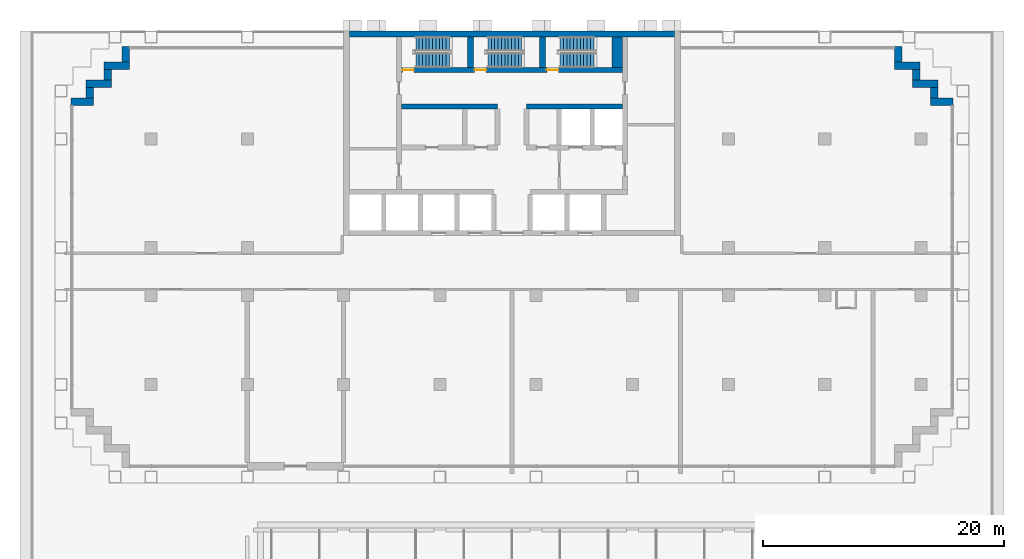
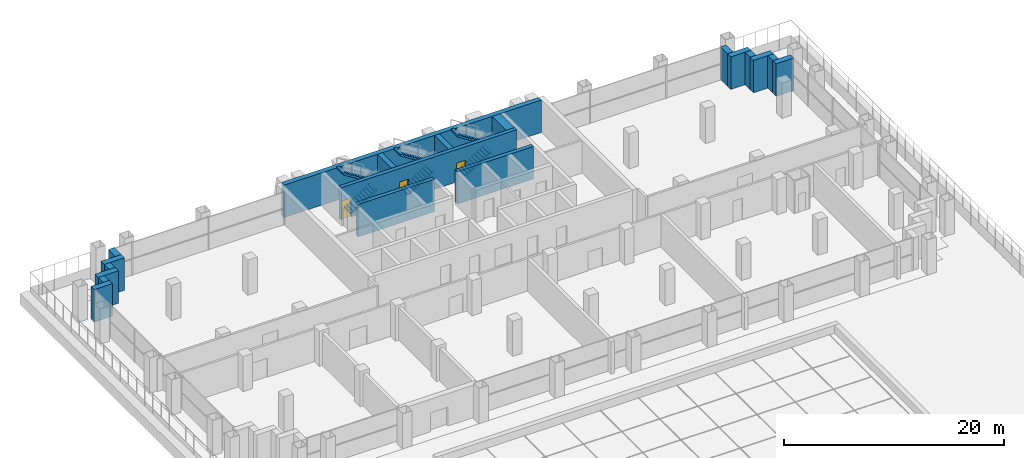
# One storey, part 13 of 16: 19 walls, 6 stair flights, 3 doors, 3 openings, 3 elements without a shape of their own.
"""IFC4 building model written with IfcOpenShell, lengths in metres."""

from ifc_helpers import new_model, si_unit, direction, frame, frame_2d, origin, place, context, subcontext, project, spatial, polyline, rectangle, outline, extrude, material, layer, layer_set, type_object, element, fill, aggregate, save


model = new_model("IFC4")

# Units and contexts
model_context = context("Model", 3, precision=1e-05, world=origin(), true_north=direction((0.0, 1.0)))
body_context = subcontext(model_context, "Body", "Model", "MODEL_VIEW")
ifc_project = project(units=[si_unit("LENGTHUNIT", "METRE"), si_unit("AREAUNIT", "SQUARE_METRE"), si_unit("VOLUMEUNIT", "CUBIC_METRE"), si_unit("PLANEANGLEUNIT", "RADIAN"), si_unit("MASSUNIT", "GRAM", prefix="KILO")], contexts=[model_context])

# Site, building, storey
site_placement = place(None, origin())
site = spatial("IfcSite", under=ifc_project, at=site_placement, CompositionType="ELEMENT")
building_placement = place(site_placement, origin())
building = spatial("IfcBuilding", under=site, at=building_placement, Name="Vidyagriha Tower", CompositionType="ELEMENT")
storey_placement = place(building_placement, frame((0.0, 0.0, 26.0)))
storey = spatial("IfcBuildingStorey", under=building, at=storey_placement, Name="L06", CompositionType="ELEMENT", Elevation=26.0)

# Walls
ifc_material_1 = material(Name="Precast concrete C40/50 with brick facing", Category="concrete")
ifc_layer_1 = layer(ifc_material_1, 0.60009765625)
ifc_layer_set_1 = layer_set([ifc_layer_1], Name="Precast concrete C40/50 with brick facing")
wall_type_1 = type_object("IfcWallType", Name="Brick-faced precast wall 600", PredefinedType="STANDARD", material=ifc_layer_set_1)
wall_1_placement = place(storey_placement, frame((36.679931640625, 14.10009765625, 0.0), z_axis=(0.0, 0.0, 1.0), x_axis=(-1.0, 0.0, 0.0)))
element("IfcWall", 1, at=wall_1_placement, inside=storey, type_object=wall_type_1, Name="Stepped corner wall L06 R01", PredefinedType="STANDARD", context=body_context, shape_type="SweptSolid", body=[
    extrude(rectangle(XDim=1.8798828125, YDim=0.60009765625, at=frame_2d((0.93994140625, 0.0))), origin(), (0.0, 0.0, 1.0), 3.60009765625),
])
wall_2_placement = place(storey_placement, frame((35.10009765625, 14.39990234375, 0.0), z_axis=(0.0, 0.0, 1.0), x_axis=(0.0, 1.0, 0.0)))
element("IfcWall", 2, at=wall_2_placement, inside=storey, type_object=wall_type_1, Name="Stepped corner wall L06 R02", PredefinedType="STANDARD", context=body_context, shape_type="SweptSolid", body=[
    extrude(rectangle(XDim=0.900146484375, YDim=0.60009765625, at=frame_2d((0.4501953125, 0.0))), origin(), (0.0, 0.0, 1.0), 3.60009765625),
])
wall_3_placement = place(storey_placement, frame((35.39990234375, 15.60009765625, 0.0), z_axis=(0.0, 0.0, 1.0), x_axis=(-1.0, 0.0, 0.0)))
element("IfcWall", 3, at=wall_3_placement, inside=storey, type_object=wall_type_1, Name="Stepped corner wall L06 R03", PredefinedType="STANDARD", context=body_context, shape_type="SweptSolid", body=[
    extrude(rectangle(XDim=2.099853515625, YDim=0.60009765625, at=frame_2d((1.0498046875, 0.0))), origin(), (0.0, 0.0, 1.0), 3.60009765625),
])
wall_4_placement = place(storey_placement, frame((33.60009765625, 15.89990234375, 0.0), z_axis=(0.0, 0.0, 1.0), x_axis=(0.0, 1.0, 0.0)))
element("IfcWall", 4, at=wall_4_placement, inside=storey, type_object=wall_type_1, Name="Stepped corner wall L06 R04", PredefinedType="STANDARD", context=body_context, shape_type="SweptSolid", body=[
    extrude(rectangle(XDim=0.900146484375, YDim=0.60009765625, at=frame_2d((0.4501953125, 0.0))), origin(), (0.0, 0.0, 1.0), 3.60009765625),
])
wall_5_placement = place(storey_placement, frame((33.89990234375, 17.10009765625, 0.0), z_axis=(0.0, 0.0, 1.0), x_axis=(-1.0, 0.0, 0.0)))
element("IfcWall", 5, at=wall_5_placement, inside=storey, type_object=wall_type_1, Name="Stepped corner wall L06 R05", PredefinedType="STANDARD", context=body_context, shape_type="SweptSolid", body=[
    extrude(rectangle(XDim=2.099853515625, YDim=0.60009765625, at=frame_2d((1.0498046875, 0.0))), origin(), (0.0, 0.0, 1.0), 3.60009765625),
])
for number, where, z_axis, x_axis, name in (
    (6, (32.10009765625, 17.39990234375, 0.0), (0.0, 0.0, 1.0), (0.0, 1.0, 0.0), "Stepped corner wall L06 R06"),
    (7, (-32.10009765625, 18.679931640625, 0.0), (0.0, 0.0, 1.0), (0.0, -1.0, 0.0), "Stepped corner wall L06 R10"),
):
    element("IfcWall", number, at=place(storey_placement, frame(where, z_axis=z_axis, x_axis=x_axis)), inside=storey, type_object=wall_type_1, Name=name, PredefinedType="STANDARD", context=body_context, shape_type="SweptSolid", body=[
        extrude(rectangle(XDim=1.280029296875, YDim=0.60009765625, at=frame_2d((0.64013671875, 0.0))), origin(), (0.0, 0.0, 1.0), 3.60009765625),
    ])
wall_6_placement = place(storey_placement, frame((-31.800048828125, 17.10009765625, 0.0), z_axis=(0.0, 0.0, 1.0), x_axis=(-1.0, 0.0, 0.0)))
element("IfcWall", 8, at=wall_6_placement, inside=storey, type_object=wall_type_1, Name="Stepped corner wall L06 R11", PredefinedType="STANDARD", context=body_context, shape_type="SweptSolid", body=[
    extrude(rectangle(XDim=2.099853515625, YDim=0.60009765625, at=frame_2d((1.0498046875, 0.0))), origin(), (0.0, 0.0, 1.0), 3.60009765625),
])
wall_7_placement = place(storey_placement, frame((-33.60009765625, 16.800048828125, 0.0), z_axis=(0.0, 0.0, 1.0), x_axis=(0.0, -1.0, 0.0)))
element("IfcWall", 9, at=wall_7_placement, inside=storey, type_object=wall_type_1, Name="Stepped corner wall L06 R12", PredefinedType="STANDARD", context=body_context, shape_type="SweptSolid", body=[
    extrude(rectangle(XDim=0.900146484375, YDim=0.60009765625, at=frame_2d((0.4501953125, 0.0))), origin(), (0.0, 0.0, 1.0), 3.60009765625),
])
wall_8_placement = place(storey_placement, frame((-33.300048828125, 15.60009765625, 0.0), z_axis=(0.0, 0.0, 1.0), x_axis=(-1.0, 0.0, 0.0)))
element("IfcWall", 10, at=wall_8_placement, inside=storey, type_object=wall_type_1, Name="Stepped corner wall L06 R13", PredefinedType="STANDARD", context=body_context, shape_type="SweptSolid", body=[
    extrude(rectangle(XDim=2.099853515625, YDim=0.60009765625, at=frame_2d((1.0498046875, 0.0))), origin(), (0.0, 0.0, 1.0), 3.60009765625),
])
wall_9_placement = place(storey_placement, frame((-35.10009765625, 15.300048828125, 0.0), z_axis=(0.0, 0.0, 1.0), x_axis=(0.0, -1.0, 0.0)))
element("IfcWall", 11, at=wall_9_placement, inside=storey, type_object=wall_type_1, Name="Stepped corner wall L06 R14", PredefinedType="STANDARD", context=body_context, shape_type="SweptSolid", body=[
    extrude(rectangle(XDim=0.900146484375, YDim=0.60009765625, at=frame_2d((0.4501953125, 0.0))), origin(), (0.0, 0.0, 1.0), 3.60009765625),
])
wall_10_placement = place(storey_placement, frame((-34.800048828125, 14.10009765625, 0.0), z_axis=(0.0, 0.0, 1.0), x_axis=(-1.0, 0.0, 0.0)))
element("IfcWall", 12, at=wall_10_placement, inside=storey, type_object=wall_type_1, Name="Stepped corner wall L06 R15", PredefinedType="STANDARD", context=body_context, shape_type="SweptSolid", body=[
    extrude(rectangle(XDim=1.8798828125, YDim=0.60009765625, at=frame_2d((0.93994140625, 0.0))), origin(), (0.0, 0.0, 1.0), 3.60009765625),
])
ifc_material_2 = material(Name="Concrete C60/75", Category="concrete")
ifc_layer_2 = layer(ifc_material_2, 0.39990234375)
ifc_layer_set_2 = layer_set([ifc_layer_2], Name="Concrete C60/75")
wall_type_2 = type_object("IfcWallType", Name="Core shear wall 400 mm", PredefinedType="SHEAR", material=ifc_layer_set_2)
for number, where, name in (
    (13, (-9.199951171875, 13.699951171875, 0.0), "Core row N rear wall"),
    (14, (1.199951171875, 13.699951171875, 0.0), "Core row N rear wall"),
):
    element("IfcWall", number, at=place(storey_placement, frame(where)), inside=storey, type_object=wall_type_2, Name=name, PredefinedType="SHEAR", context=body_context, shape_type="SweptSolid", body=[
        extrude(rectangle(XDim=8.0, YDim=0.39990234375, at=frame_2d((4.0, 0.0))), origin(), (0.0, 0.0, 1.0), 3.60009765625),
    ])

# Wall, openings, doors
wall_11_placement = place(storey_placement, frame((-9.199951171875, 16.75, 0.0)))
wall_11 = element("IfcWall", 15, at=wall_11_placement, inside=storey, type_object=wall_type_2, Name="Stair front wall", PredefinedType="SHEAR", context=body_context, shape_type="SweptSolid", body=[
    extrude(rectangle(XDim=18.39990234375, YDim=0.39990234375, at=frame_2d((9.199951171875, 0.0))), origin(), (0.0, 0.0, 1.0), 3.60009765625),
])
opening_1_placement = place(wall_11_placement, frame((0.10009765625, 0.0, 0.0)))
opening_1 = element("IfcOpeningElement", 16, at=opening_1_placement, cuts=wall_11, Name="Opening D06-07", PredefinedType="OPENING", context=body_context, shape_type="SweptSolid", body=[
    extrude(rectangle(XDim=0.949951171875, YDim=2.10009765625, at=frame_2d((0.47509765625, 1.050048828125))), frame((0.0, 0.2099609375, 0.0), z_axis=(0.0, -1.0, 0.0), x_axis=(1.0, 0.0, 0.0)), (0.0, 0.0, 1.0), 0.419921875),
])
opening_2_placement = place(wall_11_placement, frame((6.10009765625, 0.0, 0.0)))
opening_2 = element("IfcOpeningElement", 17, at=opening_2_placement, cuts=wall_11, Name="Opening D06-08", PredefinedType="OPENING", context=body_context, shape_type="SweptSolid", body=[
    extrude(rectangle(XDim=0.949951171875, YDim=2.10009765625, at=frame_2d((0.47509765625, 1.050048828125))), frame((0.0, 0.2099609375, 0.0), z_axis=(0.0, -1.0, 0.0), x_axis=(1.0, 0.0, 0.0)), (0.0, 0.0, 1.0), 0.419921875),
])
opening_3_placement = place(wall_11_placement, frame((12.10009765625, 0.0, 0.0)))
opening_3 = element("IfcOpeningElement", 18, at=opening_3_placement, cuts=wall_11, Name="Opening D06-09", PredefinedType="OPENING", context=body_context, shape_type="SweptSolid", body=[
    extrude(rectangle(XDim=0.949951171875, YDim=2.10009765625, at=frame_2d((0.47509765625, 1.050048828125))), frame((0.0, 0.2099609375, 0.0), z_axis=(0.0, -1.0, 0.0), x_axis=(1.0, 0.0, 0.0)), (0.0, 0.0, 1.0), 0.419921875),
])
ifc_material_3 = material(Name="Hollow metal door leaf")
door_type = type_object("IfcDoorType", Name="Exit stair door 950 x 2100 mm EI 90", OperationType="NOTDEFINED", PredefinedType="DOOR", material=ifc_material_3)
door_1_placement = place(opening_1_placement, origin())
door_1 = element("IfcDoor", 19, at=door_1_placement, inside=storey, type_object=door_type, Name="Stair door ST1 L06", OperationType="SINGLE_SWING_LEFT", OverallHeight=2.10009765625, OverallWidth=0.949951171875, PredefinedType="DOOR", context=body_context, shape_type="SweptSolid", body=[
    extrude(rectangle(XDim=0.949951171875, YDim=2.10009765625, at=frame_2d((0.47509765625, 1.050048828125))), frame((0.0, 0.02490234375, 0.0), z_axis=(0.0, -1.0, 0.0), x_axis=(1.0, 0.0, 0.0)), (0.0, 0.0, 1.0), 0.050048828125),
])
fill(opening_1, door_1)
door_2_placement = place(opening_2_placement, origin())
door_2 = element("IfcDoor", 20, at=door_2_placement, inside=storey, type_object=door_type, Name="Stair door ST2 L06", OperationType="SINGLE_SWING_LEFT", OverallHeight=2.10009765625, OverallWidth=0.949951171875, PredefinedType="DOOR", context=body_context, shape_type="SweptSolid", body=[
    extrude(rectangle(XDim=0.949951171875, YDim=2.10009765625, at=frame_2d((0.47509765625, 1.050048828125))), frame((0.0, 0.02490234375, 0.0), z_axis=(0.0, -1.0, 0.0), x_axis=(1.0, 0.0, 0.0)), (0.0, 0.0, 1.0), 0.050048828125),
])
fill(opening_2, door_2)
door_3_placement = place(opening_3_placement, origin())
door_3 = element("IfcDoor", 21, at=door_3_placement, inside=storey, type_object=door_type, Name="Stair door ST3 L06", OperationType="SINGLE_SWING_LEFT", OverallHeight=2.10009765625, OverallWidth=0.949951171875, PredefinedType="DOOR", context=body_context, shape_type="SweptSolid", body=[
    extrude(rectangle(XDim=0.949951171875, YDim=2.10009765625, at=frame_2d((0.47509765625, 1.050048828125))), frame((0.0, 0.02490234375, 0.0), z_axis=(0.0, -1.0, 0.0), x_axis=(1.0, 0.0, 0.0)), (0.0, 0.0, 1.0), 0.050048828125),
])
fill(opening_3, door_3)

# Walls
ifc_material_4 = material(Name="Concrete C60/75", Category="concrete")
ifc_layer_3 = layer(ifc_material_4, 0.5)
ifc_layer_set_3 = layer_set([ifc_layer_3], Name="Concrete C60/75")
wall_type_3 = type_object("IfcWallType", Name="Core shear wall 500 mm", PredefinedType="SHEAR", material=ifc_layer_set_3)
wall_12_placement = place(storey_placement, frame((-13.5, 19.75, 0.0)))
element("IfcWall", 22, at=wall_12_placement, inside=storey, type_object=wall_type_3, Name="Core north wall", PredefinedType="SHEAR", context=body_context, shape_type="SweptSolid", body=[
    extrude(rectangle(XDim=27.0, YDim=0.5, at=frame_2d((13.5, 0.0))), origin(), (0.0, 0.0, 1.0), 3.60009765625),
])
for number, where, z_axis, x_axis, name in (
    (23, (-3.449951171875, 16.949951171875, 0.0), (0.0, 0.0, 1.0), (0.0, 1.0, 0.0), "Stair partition wall 1"),
    (24, (2.550048828125, 16.949951171875, 0.0), (0.0, 0.0, 1.0), (0.0, 1.0, 0.0), "Stair partition wall 2"),
):
    element("IfcWall", number, at=place(storey_placement, frame(where, z_axis=z_axis, x_axis=x_axis)), inside=storey, type_object=wall_type_3, Name=name, PredefinedType="SHEAR", context=body_context, shape_type="SweptSolid", body=[
        extrude(rectangle(XDim=2.550048828125, YDim=0.5, at=frame_2d((1.27490234375, 0.0))), origin(), (0.0, 0.0, 1.0), 3.60009765625),
    ])
ifc_material_5 = material(Name="Concrete C60/75", Category="concrete")
ifc_layer_4 = layer(ifc_material_5, 0.89990234375)
ifc_layer_set_4 = layer_set([ifc_layer_4], Name="Concrete C60/75")
wall_type_4 = type_object("IfcWallType", Name="Core shear wall 900 mm", PredefinedType="SHEAR", material=ifc_layer_set_4)
wall_13_placement = place(storey_placement, frame((8.75, 16.949951171875, 0.0), z_axis=(0.0, 0.0, 1.0), x_axis=(0.0, 1.0, 0.0)))
element("IfcWall", 25, at=wall_13_placement, inside=storey, type_object=wall_type_4, Name="Stair end wall", PredefinedType="SHEAR", context=body_context, shape_type="SweptSolid", body=[
    extrude(rectangle(XDim=2.550048828125, YDim=0.89990234375, at=frame_2d((1.27490234375, 0.0))), origin(), (0.0, 0.0, 1.0), 3.60009765625),
])

# Stair, stair flights
ifc_material_6 = material(Name="Concrete C40/50", Category="concrete")
stair_type = type_object("IfcStairType", Name="Exit stair, half-turn, precast flights", PredefinedType="HALF_TURN_STAIR", material=ifc_material_6)
stair_1_placement = place(storey_placement, origin())
stair_1 = element("IfcStair", 26, at=stair_1_placement, inside=storey, type_object=stair_type, Name="L06 Exit Stair ST1", PredefinedType="HALF_TURN_STAIR")
ifc_material_7 = material(Name="Precast concrete C40/50", Category="concrete")
stair_flight_type = type_object("IfcStairFlightType", Name="Exit stair flight 1200 mm, precast", PredefinedType="STRAIGHT", material=ifc_material_7)
stair_flight_1_placement = place(storey_placement, frame((-8.0, 17.550048828125, 0.0)))
stair_flight_1 = element("IfcStairFlight", 27, at=stair_flight_1_placement, type_object=stair_flight_type, Name="ST1 flight 1", NumberOfRisers=11, NumberOfTreads=10, PredefinedType="STRAIGHT", RiserHeight=0.177272727, TreadLength=0.28, context=body_context, shape_type="SweptSolid", body=[
    extrude(outline(polyline([(0.0, 0.0), (0.0, 0.17724609375), (0.280029296875, 0.17724609375), (0.280029296875, 0.3544921875), (0.56005859375, 0.3544921875), (0.56005859375, 0.53173828125), (0.840087890625, 0.53173828125), (0.840087890625, 0.708984375), (1.1201171875, 0.708984375), (1.1201171875, 0.886474609375), (1.39990234375, 0.886474609375), (1.39990234375, 1.063720703125), (1.679931640625, 1.063720703125), (1.679931640625, 1.240966796875), (1.9599609375, 1.240966796875), (1.9599609375, 1.418212890625), (2.239990234375, 1.418212890625), (2.239990234375, 1.595458984375), (2.52001953125, 1.595458984375), (2.52001953125, 1.772705078125), (2.800048828125, 1.772705078125), (2.800048828125, 1.949951171875), (2.800048828125, 1.59521484375), (0.2802734375, 0.0), (0.0, 0.0)])), frame((0.0, 0.60009765625, 0.0), z_axis=(0.0, -1.0, 0.0), x_axis=(1.0, 0.0, 0.0)), (0.0, 0.0, 1.0), 1.199951171875),
])
stair_flight_2_placement = place(storey_placement, frame((-5.199951171875, 18.89990234375, 1.949951171875), z_axis=(0.0, 0.0, 1.0), x_axis=(-1.0, 0.0, 0.0)))
stair_flight_2 = element("IfcStairFlight", 28, at=stair_flight_2_placement, type_object=stair_flight_type, Name="ST1 flight 2", NumberOfRisers=11, NumberOfTreads=10, PredefinedType="STRAIGHT", RiserHeight=0.177272727, TreadLength=0.28, context=body_context, shape_type="SweptSolid", body=[
    extrude(outline(polyline([(0.0, 0.0), (0.0, 0.17724609375), (0.280029296875, 0.17724609375), (0.280029296875, 0.3544921875), (0.56005859375, 0.3544921875), (0.56005859375, 0.53173828125), (0.840087890625, 0.53173828125), (0.840087890625, 0.708984375), (1.1201171875, 0.708984375), (1.1201171875, 0.886474609375), (1.39990234375, 0.886474609375), (1.39990234375, 1.063720703125), (1.679931640625, 1.063720703125), (1.679931640625, 1.240966796875), (1.9599609375, 1.240966796875), (1.9599609375, 1.418212890625), (2.239990234375, 1.418212890625), (2.239990234375, 1.595458984375), (2.52001953125, 1.595458984375), (2.52001953125, 1.772705078125), (2.800048828125, 1.772705078125), (2.800048828125, 1.949951171875), (2.800048828125, 1.59521484375), (0.2802734375, 0.0), (0.0, 0.0)])), frame((0.0, 0.60009765625, 0.0), z_axis=(0.0, -1.0, 0.0), x_axis=(1.0, 0.0, 0.0)), (0.0, 0.0, 1.0), 1.199951171875),
])
aggregate(stair_1, [stair_flight_1, stair_flight_2])

stair_2_placement = place(storey_placement, origin())
stair_2 = element("IfcStair", 29, at=stair_2_placement, inside=storey, type_object=stair_type, Name="L06 Exit Stair ST2", PredefinedType="HALF_TURN_STAIR")
stair_flight_3_placement = place(storey_placement, frame((-2.0, 17.550048828125, 0.0)))
stair_flight_3 = element("IfcStairFlight", 30, at=stair_flight_3_placement, type_object=stair_flight_type, Name="ST2 flight 1", NumberOfRisers=11, NumberOfTreads=10, PredefinedType="STRAIGHT", RiserHeight=0.177272727, TreadLength=0.28, context=body_context, shape_type="SweptSolid", body=[
    extrude(outline(polyline([(0.0, 0.0), (0.0, 0.17724609375), (0.280029296875, 0.17724609375), (0.280029296875, 0.3544921875), (0.56005859375, 0.3544921875), (0.56005859375, 0.53173828125), (0.840087890625, 0.53173828125), (0.840087890625, 0.708984375), (1.1201171875, 0.708984375), (1.1201171875, 0.886474609375), (1.39990234375, 0.886474609375), (1.39990234375, 1.063720703125), (1.679931640625, 1.063720703125), (1.679931640625, 1.240966796875), (1.9599609375, 1.240966796875), (1.9599609375, 1.418212890625), (2.239990234375, 1.418212890625), (2.239990234375, 1.595458984375), (2.52001953125, 1.595458984375), (2.52001953125, 1.772705078125), (2.800048828125, 1.772705078125), (2.800048828125, 1.949951171875), (2.800048828125, 1.59521484375), (0.2802734375, 0.0), (0.0, 0.0)])), frame((0.0, 0.60009765625, 0.0), z_axis=(0.0, -1.0, 0.0), x_axis=(1.0, 0.0, 0.0)), (0.0, 0.0, 1.0), 1.199951171875),
])
stair_flight_4_placement = place(storey_placement, frame((0.800048828125, 18.89990234375, 1.949951171875), z_axis=(0.0, 0.0, 1.0), x_axis=(-1.0, 0.0, 0.0)))
stair_flight_4 = element("IfcStairFlight", 31, at=stair_flight_4_placement, type_object=stair_flight_type, Name="ST2 flight 2", NumberOfRisers=11, NumberOfTreads=10, PredefinedType="STRAIGHT", RiserHeight=0.177272727, TreadLength=0.28, context=body_context, shape_type="SweptSolid", body=[
    extrude(outline(polyline([(0.0, 0.0), (0.0, 0.17724609375), (0.280029296875, 0.17724609375), (0.280029296875, 0.3544921875), (0.56005859375, 0.3544921875), (0.56005859375, 0.53173828125), (0.840087890625, 0.53173828125), (0.840087890625, 0.708984375), (1.1201171875, 0.708984375), (1.1201171875, 0.886474609375), (1.39990234375, 0.886474609375), (1.39990234375, 1.063720703125), (1.679931640625, 1.063720703125), (1.679931640625, 1.240966796875), (1.9599609375, 1.240966796875), (1.9599609375, 1.418212890625), (2.239990234375, 1.418212890625), (2.239990234375, 1.595458984375), (2.52001953125, 1.595458984375), (2.52001953125, 1.772705078125), (2.800048828125, 1.772705078125), (2.800048828125, 1.949951171875), (2.800048828125, 1.59521484375), (0.2802734375, 0.0), (0.0, 0.0)])), frame((0.0, 0.60009765625, 0.0), z_axis=(0.0, -1.0, 0.0), x_axis=(1.0, 0.0, 0.0)), (0.0, 0.0, 1.0), 1.199951171875),
])
aggregate(stair_2, [stair_flight_3, stair_flight_4])

stair_3_placement = place(storey_placement, origin())
stair_3 = element("IfcStair", 32, at=stair_3_placement, inside=storey, type_object=stair_type, Name="L06 Exit Stair ST3", PredefinedType="HALF_TURN_STAIR")
stair_flight_5_placement = place(storey_placement, frame((4.0, 17.550048828125, 0.0)))
stair_flight_5 = element("IfcStairFlight", 33, at=stair_flight_5_placement, type_object=stair_flight_type, Name="ST3 flight 1", NumberOfRisers=11, NumberOfTreads=10, PredefinedType="STRAIGHT", RiserHeight=0.177272727, TreadLength=0.28, context=body_context, shape_type="SweptSolid", body=[
    extrude(outline(polyline([(0.0, 0.0), (0.0, 0.17724609375), (0.280029296875, 0.17724609375), (0.280029296875, 0.3544921875), (0.56005859375, 0.3544921875), (0.56005859375, 0.53173828125), (0.840087890625, 0.53173828125), (0.840087890625, 0.708984375), (1.1201171875, 0.708984375), (1.1201171875, 0.886474609375), (1.39990234375, 0.886474609375), (1.39990234375, 1.063720703125), (1.679931640625, 1.063720703125), (1.679931640625, 1.240966796875), (1.9599609375, 1.240966796875), (1.9599609375, 1.418212890625), (2.239990234375, 1.418212890625), (2.239990234375, 1.595458984375), (2.52001953125, 1.595458984375), (2.52001953125, 1.772705078125), (2.800048828125, 1.772705078125), (2.800048828125, 1.949951171875), (2.800048828125, 1.59521484375), (0.2802734375, 0.0), (0.0, 0.0)])), frame((0.0, 0.60009765625, 0.0), z_axis=(0.0, -1.0, 0.0), x_axis=(1.0, 0.0, 0.0)), (0.0, 0.0, 1.0), 1.199951171875),
])
stair_flight_6_placement = place(storey_placement, frame((6.800048828125, 18.89990234375, 1.949951171875), z_axis=(0.0, 0.0, 1.0), x_axis=(-1.0, 0.0, 0.0)))
stair_flight_6 = element("IfcStairFlight", 34, at=stair_flight_6_placement, type_object=stair_flight_type, Name="ST3 flight 2", NumberOfRisers=11, NumberOfTreads=10, PredefinedType="STRAIGHT", RiserHeight=0.177272727, TreadLength=0.28, context=body_context, shape_type="SweptSolid", body=[
    extrude(outline(polyline([(0.0, 0.0), (0.0, 0.17724609375), (0.280029296875, 0.17724609375), (0.280029296875, 0.3544921875), (0.56005859375, 0.3544921875), (0.56005859375, 0.53173828125), (0.840087890625, 0.53173828125), (0.840087890625, 0.708984375), (1.1201171875, 0.708984375), (1.1201171875, 0.886474609375), (1.39990234375, 0.886474609375), (1.39990234375, 1.063720703125), (1.679931640625, 1.063720703125), (1.679931640625, 1.240966796875), (1.9599609375, 1.240966796875), (1.9599609375, 1.418212890625), (2.239990234375, 1.418212890625), (2.239990234375, 1.595458984375), (2.52001953125, 1.595458984375), (2.52001953125, 1.772705078125), (2.800048828125, 1.772705078125), (2.800048828125, 1.949951171875), (2.800048828125, 1.59521484375), (0.2802734375, 0.0), (0.0, 0.0)])), frame((0.0, 0.60009765625, 0.0), z_axis=(0.0, -1.0, 0.0), x_axis=(1.0, 0.0, 0.0)), (0.0, 0.0, 1.0), 1.199951171875),
])
aggregate(stair_3, [stair_flight_5, stair_flight_6])

save(model, "model.ifc")
